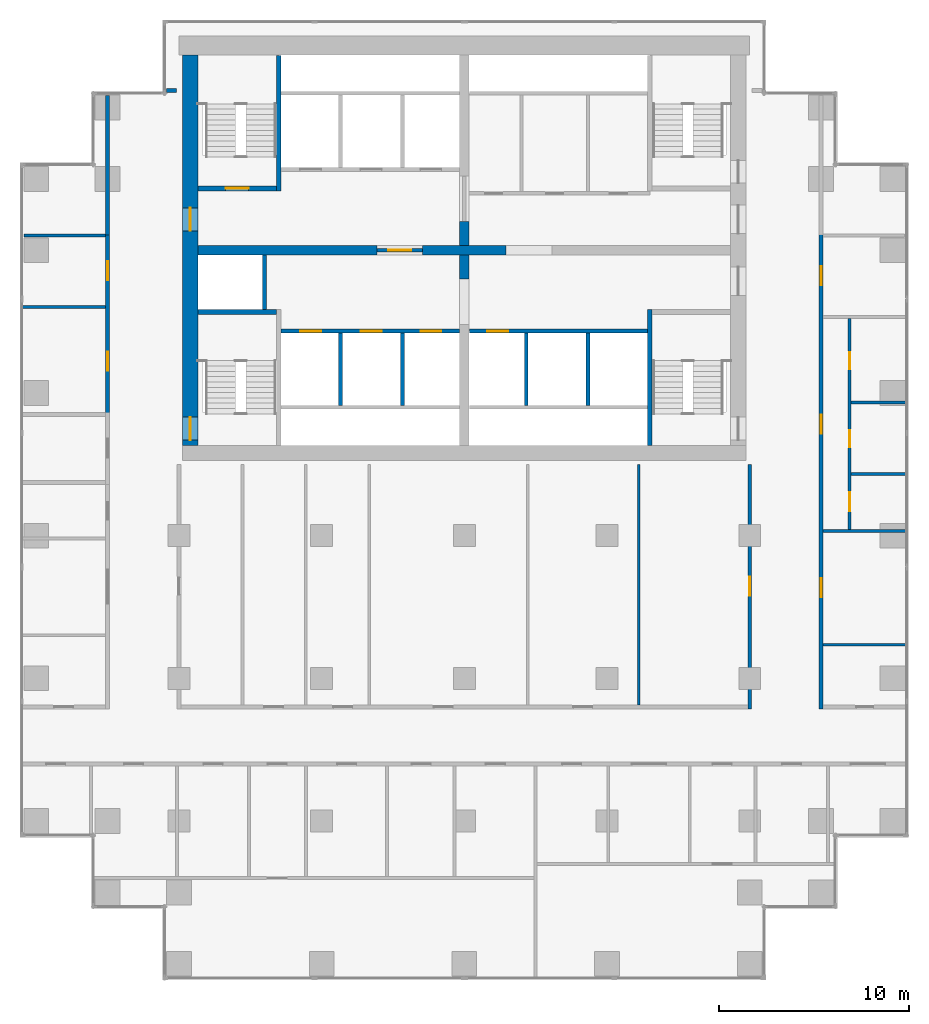
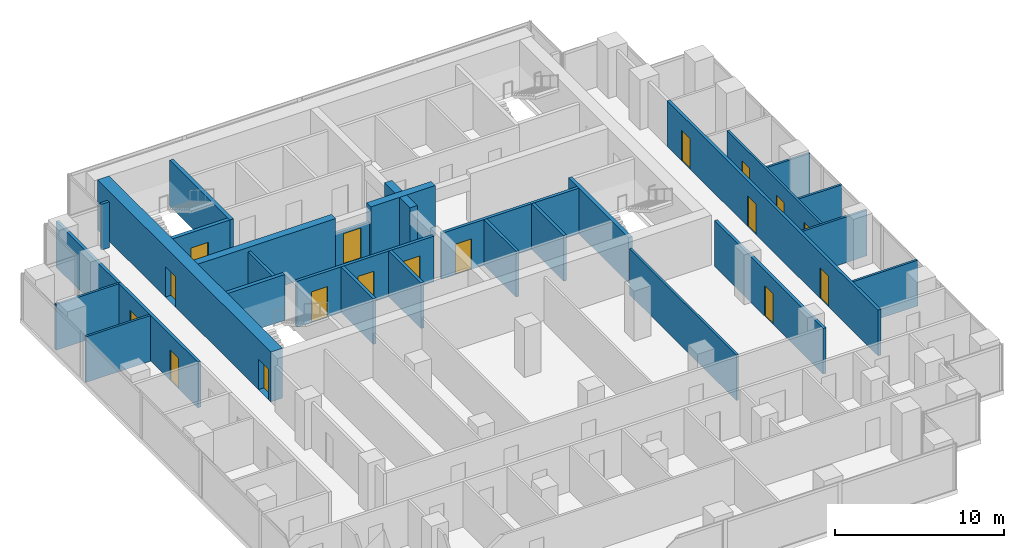
# One storey, part 8 of 11: 30 walls, 17 doors, 17 openings.
"""IFC4 building model written with IfcOpenShell, lengths in metres."""

from ifc_helpers import new_model, si_unit, direction, frame, frame_2d, origin, place, context, subcontext, project, spatial, rectangle, extrude, material, layer, layer_set, type_object, element, fill, save


model = new_model("IFC4")

# Units and contexts
model_context = context("Model", 3, precision=1e-05, world=origin(), true_north=direction((0.0, 1.0)))
body_context = subcontext(model_context, "Body", "Model", "MODEL_VIEW")
ifc_project = project(units=[si_unit("LENGTHUNIT", "METRE"), si_unit("AREAUNIT", "SQUARE_METRE"), si_unit("VOLUMEUNIT", "CUBIC_METRE"), si_unit("PLANEANGLEUNIT", "RADIAN"), si_unit("MASSUNIT", "GRAM", prefix="KILO")], contexts=[model_context])

# Site, building, storey
site_placement = place(None, origin())
site = spatial("IfcSite", under=ifc_project, at=site_placement, CompositionType="ELEMENT")
building_placement = place(site_placement, origin())
building = spatial("IfcBuilding", under=site, at=building_placement, Name="Pilkhan Gate Tower", CompositionType="ELEMENT")
storey_placement = place(building_placement, frame((0.0, 0.0, 125.199951171875)))
storey = spatial("IfcBuildingStorey", under=building, at=storey_placement, Name="L31", CompositionType="ELEMENT", Elevation=125.199951171875)

# Wall, openings, doors
ifc_material_1 = material(Name="Concrete C60/75", Category="concrete")
ifc_layer_1 = layer(ifc_material_1, 0.800048828125)
ifc_layer_set_1 = layer_set([ifc_layer_1], Name="Core wall CW800 C60/75")
wall_type_1 = type_object("IfcWallType", Name="Core wall CW800 C60/75", PredefinedType="SHEAR", material=ifc_layer_set_1)
wall_1_placement = place(storey_placement, frame((60.60009765625, 92.75, 0.0), z_axis=(0.0, 0.0, 1.0), x_axis=(0.0, -1.0, 0.0)))
wall_1 = element("IfcWall", 1, at=wall_1_placement, inside=storey, type_object=wall_type_1, Name="Core wall W L31", PredefinedType="SHEAR", context=body_context, shape_type="SweptSolid", body=[
    extrude(rectangle(XDim=20.5, YDim=0.800048828125, at=frame_2d((10.25, 0.0))), origin(), (0.0, 0.0, 1.0), 3.60009765625),
])
opening_1_placement = place(wall_1_placement, frame((19.02490234375, 0.0, 0.0)))
opening_1 = element("IfcOpeningElement", 2, at=opening_1_placement, cuts=wall_1, Name="Opening L31-04", PredefinedType="OPENING", context=body_context, shape_type="SweptSolid", body=[
    extrude(rectangle(XDim=1.199951171875, YDim=2.199951171875, at=frame_2d((0.60009765625, 1.10009765625))), frame((0.0, 0.409912109375, 0.0), z_axis=(0.0, -1.0, 0.0), x_axis=(1.0, 0.0, 0.0)), (0.0, 0.0, 1.0), 0.820068359375),
])
opening_2_placement = place(wall_1_placement, frame((8.02490234375, 0.0, 0.0)))
opening_2 = element("IfcOpeningElement", 3, at=opening_2_placement, cuts=wall_1, Name="Opening L31-11", PredefinedType="OPENING", context=body_context, shape_type="SweptSolid", body=[
    extrude(rectangle(XDim=1.199951171875, YDim=2.199951171875, at=frame_2d((0.60009765625, 1.10009765625))), frame((0.0, 0.409912109375, 0.0), z_axis=(0.0, -1.0, 0.0), x_axis=(1.0, 0.0, 0.0)), (0.0, 0.0, 1.0), 0.820068359375),
])
ifc_material_2 = material(Name="Steel door, 120 minute fire resisting, self-closing", Category="steel")
door_type_1 = type_object("IfcDoorType", Name="Firefighting lobby door D10 1200x2200", OperationType="SINGLE_SWING_LEFT", PredefinedType="DOOR", material=ifc_material_2)
door_1_placement = place(opening_2_placement, origin())
door_1 = element("IfcDoor", 4, at=door_1_placement, inside=storey, type_object=door_type_1, Name="Core door", OperationType="SINGLE_SWING_RIGHT", OverallHeight=2.199951171875, OverallWidth=1.199951171875, PredefinedType="DOOR", context=body_context, shape_type="SweptSolid", body=[
    extrude(rectangle(XDim=1.199951171875, YDim=2.199951171875, at=frame_2d((0.60009765625, 1.10009765625))), frame((0.0, 0.02490234375, 0.0), z_axis=(0.0, -1.0, 0.0), x_axis=(1.0, 0.0, 0.0)), (0.0, 0.0, 1.0), 0.050048828125),
])
fill(opening_2, door_1)
ifc_material_3 = material(Name="Steel door, 120 minute fire resisting, panic bar", Category="steel")
door_type_2 = type_object("IfcDoorType", Name="Stair door D11 1200x2200", OperationType="SINGLE_SWING_LEFT", PredefinedType="DOOR", material=ifc_material_3)
door_2_placement = place(opening_1_placement, origin())
door_2 = element("IfcDoor", 5, at=door_2_placement, inside=storey, type_object=door_type_2, Name="Stair ST2 door", OperationType="SINGLE_SWING_RIGHT", OverallHeight=2.199951171875, OverallWidth=1.199951171875, PredefinedType="DOOR", context=body_context, shape_type="SweptSolid", body=[
    extrude(rectangle(XDim=1.199951171875, YDim=2.199951171875, at=frame_2d((0.60009765625, 1.10009765625))), frame((0.0, 0.02490234375, 0.0), z_axis=(0.0, -1.0, 0.0), x_axis=(1.0, 0.0, 0.0)), (0.0, 0.0, 1.0), 0.050048828125),
])
fill(opening_1, door_2)

# Wall
ifc_material_4 = material(Name="Dense blockwork", Category="masonry")
ifc_layer_2 = layer(ifc_material_4, 0.199951171875)
ifc_layer_set_2 = layer_set([ifc_layer_2], Name="Corridor wall FW200")
wall_type_2 = type_object("IfcWallType", Name="Corridor wall FW200", PredefinedType="PARTITIONING", material=ifc_layer_set_2)
wall_2_placement = place(storey_placement, frame((59.35498046875, 90.89990234375, 0.0), z_axis=(0.0, 0.0, 1.0), x_axis=(1.0, 0.0, 0.0)))
element("IfcWall", 6, at=wall_2_placement, inside=storey, type_object=wall_type_2, Name="Partition L31", PredefinedType="PARTITIONING", context=body_context, shape_type="SweptSolid", body=[
    extrude(rectangle(XDim=0.52490234375, YDim=0.199951171875, at=frame_2d((0.262451171875, 0.0))), origin(), (0.0, 0.0, 1.0), 3.300048828125),
])

# Wall, openings, doors
wall_3_placement = place(storey_placement, frame((56.25, 73.864990234375, 0.0), z_axis=(0.0, 0.0, 1.0), x_axis=(0.0, 1.0, 0.0)))
wall_3 = element("IfcWall", 7, at=wall_3_placement, inside=storey, type_object=wall_type_2, Name="Partition L31", PredefinedType="PARTITIONING", context=body_context, shape_type="SweptSolid", body=[
    extrude(rectangle(XDim=9.489990234375, YDim=0.199951171875, at=frame_2d((4.7451171875, 0.0))), origin(), (0.0, 0.0, 1.0), 3.300048828125),
])
opening_3_placement = place(wall_3_placement, frame((2.300048828125, 0.0, 0.0)))
opening_3 = element("IfcOpeningElement", 8, at=opening_3_placement, cuts=wall_3, Name="Opening L31-31", PredefinedType="OPENING", context=body_context, shape_type="SweptSolid", body=[
    extrude(rectangle(XDim=1.0, YDim=2.199951171875, at=frame_2d((0.5, 1.10009765625))), frame((0.0, 0.10986328125, 0.0), z_axis=(0.0, -1.0, 0.0), x_axis=(1.0, 0.0, 0.0)), (0.0, 0.0, 1.0), 0.219970703125),
])
opening_4_placement = place(wall_3_placement, frame((7.049072265625, 0.0, 0.0)))
opening_4 = element("IfcOpeningElement", 9, at=opening_4_placement, cuts=wall_3, Name="Opening L31-32", PredefinedType="OPENING", context=body_context, shape_type="SweptSolid", body=[
    extrude(rectangle(XDim=1.0, YDim=2.199951171875, at=frame_2d((0.5, 1.10009765625))), frame((0.0, 0.10986328125, 0.0), z_axis=(0.0, -1.0, 0.0), x_axis=(1.0, 0.0, 0.0)), (0.0, 0.0, 1.0), 0.219970703125),
])
ifc_material_5 = material(Name="Timber flush door, 30 minute fire resisting", Category="wood")
door_type_3 = type_object("IfcDoorType", Name="Room door D03 1000x2200", OperationType="SINGLE_SWING_LEFT", PredefinedType="DOOR", material=ifc_material_5)
door_3_placement = place(opening_3_placement, origin())
door_3 = element("IfcDoor", 10, at=door_3_placement, inside=storey, type_object=door_type_3, Name="Room door", OperationType="SINGLE_SWING_LEFT", OverallHeight=2.199951171875, OverallWidth=1.0, PredefinedType="DOOR", context=body_context, shape_type="SweptSolid", body=[
    extrude(rectangle(XDim=1.0, YDim=2.199951171875, at=frame_2d((0.5, 1.10009765625))), frame((0.0, 0.02490234375, 0.0), z_axis=(0.0, -1.0, 0.0), x_axis=(1.0, 0.0, 0.0)), (0.0, 0.0, 1.0), 0.050048828125),
])
fill(opening_3, door_3)
door_4_placement = place(opening_4_placement, origin())
door_4 = element("IfcDoor", 11, at=door_4_placement, inside=storey, type_object=door_type_3, Name="Room door", OperationType="SINGLE_SWING_RIGHT", OverallHeight=2.199951171875, OverallWidth=1.0, PredefinedType="DOOR", context=body_context, shape_type="SweptSolid", body=[
    extrude(rectangle(XDim=1.0, YDim=2.199951171875, at=frame_2d((0.5, 1.10009765625))), frame((0.0, 0.02490234375, 0.0), z_axis=(0.0, -1.0, 0.0), x_axis=(1.0, 0.0, 0.0)), (0.0, 0.0, 1.0), 0.050048828125),
])
fill(opening_4, door_4)

# Wall
wall_4_placement = place(storey_placement, frame((56.25, 83.31005859375, 0.0), z_axis=(0.0, 0.0, 1.0), x_axis=(0.0, 1.0, 0.0)))
element("IfcWall", 12, at=wall_4_placement, inside=storey, type_object=wall_type_2, Name="Partition L31", PredefinedType="PARTITIONING", context=body_context, shape_type="SweptSolid", body=[
    extrude(rectangle(XDim=7.3349609375, YDim=0.199951171875, at=frame_2d((3.66748046875, 0.0))), origin(), (0.0, 0.0, 1.0), 3.300048828125),
])

# Wall, opening, door
wall_5_placement = place(storey_placement, frame((90.0, 58.39990234375, 0.0), z_axis=(0.0, 0.0, 1.0), x_axis=(0.0, 1.0, 0.0)))
wall_5 = element("IfcWall", 13, at=wall_5_placement, inside=storey, type_object=wall_type_2, Name="Partition L31", PredefinedType="PARTITIONING", context=body_context, shape_type="SweptSolid", body=[
    extrude(rectangle(XDim=12.85009765625, YDim=0.199951171875, at=frame_2d((6.425048828125, 0.0))), origin(), (0.0, 0.0, 1.0), 3.300048828125),
])
opening_5_placement = place(wall_5_placement, frame((5.949951171875, 0.0, 0.0)))
opening_5 = element("IfcOpeningElement", 14, at=opening_5_placement, cuts=wall_5, Name="Opening L31-44", PredefinedType="OPENING", context=body_context, shape_type="SweptSolid", body=[
    extrude(rectangle(XDim=1.0, YDim=2.199951171875, at=frame_2d((0.5, 1.10009765625))), frame((0.0, 0.10986328125, 0.0), z_axis=(0.0, -1.0, 0.0), x_axis=(1.0, 0.0, 0.0)), (0.0, 0.0, 1.0), 0.219970703125),
])
door_5_placement = place(opening_5_placement, origin())
door_5 = element("IfcDoor", 15, at=door_5_placement, inside=storey, type_object=door_type_3, Name="Room door", OperationType="SINGLE_SWING_LEFT", OverallHeight=2.199951171875, OverallWidth=1.0, PredefinedType="DOOR", context=body_context, shape_type="SweptSolid", body=[
    extrude(rectangle(XDim=1.0, YDim=2.199951171875, at=frame_2d((0.5, 1.10009765625))), frame((0.0, 0.02490234375, 0.0), z_axis=(0.0, -1.0, 0.0), x_axis=(1.0, 0.0, 0.0)), (0.0, 0.0, 1.0), 0.050048828125),
])
fill(opening_5, door_5)

# Wall, openings, doors
wall_6_placement = place(storey_placement, frame((93.75, 58.39990234375, 0.0), z_axis=(0.0, 0.0, 1.0), x_axis=(0.0, 1.0, 0.0)))
wall_6 = element("IfcWall", 16, at=wall_6_placement, inside=storey, type_object=wall_type_2, Name="Partition L31", PredefinedType="PARTITIONING", context=body_context, shape_type="SweptSolid", body=[
    extrude(rectangle(XDim=24.955078125, YDim=0.199951171875, at=frame_2d((12.4775390625, 0.0))), origin(), (0.0, 0.0, 1.0), 3.300048828125),
])
opening_6_placement = place(wall_6_placement, frame((14.449951171875, 0.0, 0.0)))
opening_6 = element("IfcOpeningElement", 17, at=opening_6_placement, cuts=wall_6, Name="Opening L31-09", PredefinedType="OPENING", context=body_context, shape_type="SweptSolid", body=[
    extrude(rectangle(XDim=1.0, YDim=2.199951171875, at=frame_2d((0.5, 1.10009765625))), frame((0.0, 0.10986328125, 0.0), z_axis=(0.0, -1.0, 0.0), x_axis=(1.0, 0.0, 0.0)), (0.0, 0.0, 1.0), 0.219970703125),
])
opening_7_placement = place(wall_6_placement, frame((5.868896484375, 0.0, 0.0)))
opening_7 = element("IfcOpeningElement", 18, at=opening_7_placement, cuts=wall_6, Name="Opening L31-37", PredefinedType="OPENING", context=body_context, shape_type="SweptSolid", body=[
    extrude(rectangle(XDim=1.0, YDim=2.199951171875, at=frame_2d((0.5, 1.10009765625))), frame((0.0, 0.10986328125, 0.0), z_axis=(0.0, -1.0, 0.0), x_axis=(1.0, 0.0, 0.0)), (0.0, 0.0, 1.0), 0.219970703125),
])
opening_8_placement = place(wall_6_placement, frame((22.25, 0.0, 0.0)))
opening_8 = element("IfcOpeningElement", 19, at=opening_8_placement, cuts=wall_6, Name="Opening L31-38", PredefinedType="OPENING", context=body_context, shape_type="SweptSolid", body=[
    extrude(rectangle(XDim=1.0, YDim=2.199951171875, at=frame_2d((0.5, 1.10009765625))), frame((0.0, 0.10986328125, 0.0), z_axis=(0.0, -1.0, 0.0), x_axis=(1.0, 0.0, 0.0)), (0.0, 0.0, 1.0), 0.219970703125),
])
door_6_placement = place(opening_6_placement, origin())
door_6 = element("IfcDoor", 20, at=door_6_placement, inside=storey, type_object=door_type_3, Name="Toilet lobby door", OperationType="SINGLE_SWING_RIGHT", OverallHeight=2.199951171875, OverallWidth=1.0, PredefinedType="DOOR", context=body_context, shape_type="SweptSolid", body=[
    extrude(rectangle(XDim=1.0, YDim=2.199951171875, at=frame_2d((0.5, 1.10009765625))), frame((0.0, 0.02490234375, 0.0), z_axis=(0.0, -1.0, 0.0), x_axis=(1.0, 0.0, 0.0)), (0.0, 0.0, 1.0), 0.050048828125),
])
fill(opening_6, door_6)
door_7_placement = place(opening_7_placement, origin())
door_7 = element("IfcDoor", 21, at=door_7_placement, inside=storey, type_object=door_type_3, Name="Room door", OperationType="SINGLE_SWING_LEFT", OverallHeight=2.199951171875, OverallWidth=1.0, PredefinedType="DOOR", context=body_context, shape_type="SweptSolid", body=[
    extrude(rectangle(XDim=1.0, YDim=2.199951171875, at=frame_2d((0.5, 1.10009765625))), frame((0.0, 0.02490234375, 0.0), z_axis=(0.0, -1.0, 0.0), x_axis=(1.0, 0.0, 0.0)), (0.0, 0.0, 1.0), 0.050048828125),
])
fill(opening_7, door_7)
door_8_placement = place(opening_8_placement, origin())
door_8 = element("IfcDoor", 22, at=door_8_placement, inside=storey, type_object=door_type_3, Name="Room door", OperationType="SINGLE_SWING_LEFT", OverallHeight=2.199951171875, OverallWidth=1.0, PredefinedType="DOOR", context=body_context, shape_type="SweptSolid", body=[
    extrude(rectangle(XDim=1.0, YDim=2.199951171875, at=frame_2d((0.5, 1.10009765625))), frame((0.0, 0.02490234375, 0.0), z_axis=(0.0, -1.0, 0.0), x_axis=(1.0, 0.0, 0.0)), (0.0, 0.0, 1.0), 0.050048828125),
])
fill(opening_8, door_8)

# Wall, opening, door
ifc_layer_3 = layer(ifc_material_4, 0.199951171875)
ifc_layer_set_3 = layer_set([ifc_layer_3], Name="Lobby wall LW200")
wall_type_3 = type_object("IfcWallType", Name="Lobby wall LW200", PredefinedType="PARTITIONING", material=ifc_layer_set_3)
wall_7_placement = place(storey_placement, frame((70.409912109375, 82.5, 0.0), z_axis=(0.0, 0.0, 1.0), x_axis=(1.0, 0.0, 0.0)))
wall_7 = element("IfcWall", 23, at=wall_7_placement, inside=storey, type_object=wall_type_3, Name="Partition L31", PredefinedType="PARTITIONING", context=body_context, shape_type="SweptSolid", body=[
    extrude(rectangle(XDim=2.380126953125, YDim=0.199951171875, at=frame_2d((1.18994140625, 0.0))), origin(), (0.0, 0.0, 1.0), 2.400146484375),
])
opening_9_placement = place(wall_7_placement, frame((0.60009765625, 0.0, 0.0)))
opening_9 = element("IfcOpeningElement", 24, at=opening_9_placement, cuts=wall_7, Name="Opening L31-01", PredefinedType="OPENING", context=body_context, shape_type="SweptSolid", body=[
    extrude(rectangle(XDim=1.199951171875, YDim=2.199951171875, at=frame_2d((0.60009765625, 1.10009765625))), frame((0.0, 0.10986328125, 0.0), z_axis=(0.0, -1.0, 0.0), x_axis=(1.0, 0.0, 0.0)), (0.0, 0.0, 1.0), 0.219970703125),
])
door_9_placement = place(opening_9_placement, origin())
door_9 = element("IfcDoor", 25, at=door_9_placement, inside=storey, type_object=door_type_1, Name="Firefighting lobby door", OperationType="SINGLE_SWING_LEFT", OverallHeight=2.199951171875, OverallWidth=1.199951171875, PredefinedType="DOOR", context=body_context, shape_type="SweptSolid", body=[
    extrude(rectangle(XDim=1.199951171875, YDim=2.199951171875, at=frame_2d((0.60009765625, 1.10009765625))), frame((0.0, 0.02490234375, 0.0), z_axis=(0.0, -1.0, 0.0), x_axis=(1.0, 0.0, 0.0)), (0.0, 0.0, 1.0), 0.050048828125),
])
fill(opening_9, door_9)

# Walls
ifc_material_6 = material(Name="Blockwork partition, plastered both sides", Category="masonry")
ifc_layer_4 = layer(ifc_material_6, 0.14990234375)
ifc_layer_set_4 = layer_set([ifc_layer_4], Name="Partition PW150")
wall_type_4 = type_object("IfcWallType", Name="Partition PW150", PredefinedType="PARTITIONING", material=ifc_layer_set_4)
for number, where, z_axis, x_axis, name in (
    (26, (93.85009765625, 61.76904296875, 0.0), (0.0, 0.0, 1.0), (1.0, 0.0, 0.0), "Partition L31"),
    (27, (93.85009765625, 67.75, 0.0), (0.0, 0.0, 1.0), (1.0, 0.0, 0.0), "Partition L31"),
):
    element("IfcWall", number, at=place(storey_placement, frame(where, z_axis=z_axis, x_axis=x_axis)), inside=storey, type_object=wall_type_4, Name=name, PredefinedType="PARTITIONING", context=body_context, shape_type="SweptSolid", body=[
        extrude(rectangle(XDim=4.414794921875, YDim=0.14990234375, at=frame_2d((2.20751953125, 0.0))), origin(), (0.0, 0.0, 1.0), 3.300048828125),
    ])
for number, where, z_axis, x_axis, name in (
    (28, (95.324951171875, 70.75, 0.0), (0.0, 0.0, 1.0), (1.0, 0.0, 0.0), "Partition L31"),
    (29, (95.324951171875, 74.5, 0.0), (0.0, 0.0, 1.0), (1.0, 0.0, 0.0), "Partition L31"),
):
    element("IfcWall", number, at=place(storey_placement, frame(where, z_axis=z_axis, x_axis=x_axis)), inside=storey, type_object=wall_type_4, Name=name, PredefinedType="PARTITIONING", context=body_context, shape_type="SweptSolid", body=[
        extrude(rectangle(XDim=2.93994140625, YDim=0.14990234375, at=frame_2d((1.469970703125, 0.0))), origin(), (0.0, 0.0, 1.0), 3.300048828125),
    ])
wall_8_placement = place(storey_placement, frame((51.735107421875, 79.513916015625, 0.0), z_axis=(0.0, 0.0, 1.0), x_axis=(1.0, 0.0, 0.0)))
element("IfcWall", 30, at=wall_8_placement, inside=storey, type_object=wall_type_4, Name="Partition L31", PredefinedType="PARTITIONING", context=body_context, shape_type="SweptSolid", body=[
    extrude(rectangle(XDim=4.414794921875, YDim=0.14990234375, at=frame_2d((2.20751953125, 0.0))), origin(), (0.0, 0.0, 1.0), 3.300048828125),
])
wall_9_placement = place(storey_placement, frame((51.85498046875, 83.280029296875, 0.0), z_axis=(0.0, 0.0, 1.0), x_axis=(1.0, 0.0, 0.0)))
element("IfcWall", 31, at=wall_9_placement, inside=storey, type_object=wall_type_4, Name="Partition L31", PredefinedType="PARTITIONING", context=body_context, shape_type="SweptSolid", body=[
    extrude(rectangle(XDim=4.294921875, YDim=0.14990234375, at=frame_2d((2.1474609375, 0.0))), origin(), (0.0, 0.0, 1.0), 3.300048828125),
])
wall_10_placement = place(storey_placement, frame((84.1669921875, 58.60009765625, 0.0), z_axis=(0.0, 0.0, 1.0), x_axis=(0.0, 1.0, 0.0)))
element("IfcWall", 32, at=wall_10_placement, inside=storey, type_object=wall_type_4, Name="Partition L31", PredefinedType="PARTITIONING", context=body_context, shape_type="SweptSolid", body=[
    extrude(rectangle(XDim=12.64990234375, YDim=0.14990234375, at=frame_2d((6.324951171875, 0.0))), origin(), (0.0, 0.0, 1.0), 3.300048828125),
])

# Wall, openings, doors
wall_11_placement = place(storey_placement, frame((95.25, 67.824951171875, 0.0), z_axis=(0.0, 0.0, 1.0), x_axis=(0.0, 1.0, 0.0)))
wall_11 = element("IfcWall", 33, at=wall_11_placement, inside=storey, type_object=wall_type_4, Name="Partition L31", PredefinedType="PARTITIONING", context=body_context, shape_type="SweptSolid", body=[
    extrude(rectangle(XDim=11.10009765625, YDim=0.14990234375, at=frame_2d((5.550048828125, 0.0))), origin(), (0.0, 0.0, 1.0), 3.300048828125),
])
opening_10_placement = place(wall_11_placement, frame((0.949951171875, 0.0, 0.0)))
opening_10 = element("IfcOpeningElement", 34, at=opening_10_placement, cuts=wall_11, Name="Opening L31-33", PredefinedType="OPENING", context=body_context, shape_type="SweptSolid", body=[
    extrude(rectangle(XDim=1.0, YDim=2.199951171875, at=frame_2d((0.5, 1.10009765625))), frame((0.0, 0.0849609375, 0.0), z_axis=(0.0, -1.0, 0.0), x_axis=(1.0, 0.0, 0.0)), (0.0, 0.0, 1.0), 0.169921875),
])
opening_11_placement = place(wall_11_placement, frame((4.324951171875, 0.0, 0.0)))
opening_11 = element("IfcOpeningElement", 35, at=opening_11_placement, cuts=wall_11, Name="Opening L31-34", PredefinedType="OPENING", context=body_context, shape_type="SweptSolid", body=[
    extrude(rectangle(XDim=0.89990234375, YDim=2.199951171875, at=frame_2d((0.449951171875, 1.10009765625))), frame((0.0, 0.0849609375, 0.0), z_axis=(0.0, -1.0, 0.0), x_axis=(1.0, 0.0, 0.0)), (0.0, 0.0, 1.0), 0.169921875),
])
opening_12_placement = place(wall_11_placement, frame((8.425048828125, 0.0, 0.0)))
opening_12 = element("IfcOpeningElement", 36, at=opening_12_placement, cuts=wall_11, Name="Opening L31-35", PredefinedType="OPENING", context=body_context, shape_type="SweptSolid", body=[
    extrude(rectangle(XDim=0.89990234375, YDim=2.199951171875, at=frame_2d((0.449951171875, 1.10009765625))), frame((0.0, 0.0849609375, 0.0), z_axis=(0.0, -1.0, 0.0), x_axis=(1.0, 0.0, 0.0)), (0.0, 0.0, 1.0), 0.169921875),
])
ifc_material_7 = material(Name="Timber flush door, outward opening, 30 minute fire resisting", Category="wood")
door_type_4 = type_object("IfcDoorType", Name="Accessible toilet door D07 1000x2200", OperationType="SINGLE_SWING_LEFT", PredefinedType="DOOR", material=ifc_material_7)
door_10_placement = place(opening_10_placement, origin())
door_10 = element("IfcDoor", 37, at=door_10_placement, inside=storey, type_object=door_type_4, Name="Accessible toilet door", OperationType="SINGLE_SWING_LEFT", OverallHeight=2.199951171875, OverallWidth=1.0, PredefinedType="DOOR", context=body_context, shape_type="SweptSolid", body=[
    extrude(rectangle(XDim=1.0, YDim=2.199951171875, at=frame_2d((0.5, 1.10009765625))), frame((0.0, 0.02490234375, 0.0), z_axis=(0.0, -1.0, 0.0), x_axis=(1.0, 0.0, 0.0)), (0.0, 0.0, 1.0), 0.050048828125),
])
fill(opening_10, door_10)
door_type_5 = type_object("IfcDoorType", Name="Toilet door D06 900x2200", OperationType="SINGLE_SWING_LEFT", PredefinedType="DOOR", material=ifc_material_5)
door_11_placement = place(opening_11_placement, origin())
door_11 = element("IfcDoor", 38, at=door_11_placement, inside=storey, type_object=door_type_5, Name="Toilet door", OperationType="SINGLE_SWING_RIGHT", OverallHeight=2.199951171875, OverallWidth=0.89990234375, PredefinedType="DOOR", context=body_context, shape_type="SweptSolid", body=[
    extrude(rectangle(XDim=0.89990234375, YDim=2.199951171875, at=frame_2d((0.449951171875, 1.10009765625))), frame((0.0, 0.02490234375, 0.0), z_axis=(0.0, -1.0, 0.0), x_axis=(1.0, 0.0, 0.0)), (0.0, 0.0, 1.0), 0.050048828125),
])
fill(opening_11, door_11)
door_12_placement = place(opening_12_placement, origin())
door_12 = element("IfcDoor", 39, at=door_12_placement, inside=storey, type_object=door_type_5, Name="Toilet door", OperationType="SINGLE_SWING_LEFT", OverallHeight=2.199951171875, OverallWidth=0.89990234375, PredefinedType="DOOR", context=body_context, shape_type="SweptSolid", body=[
    extrude(rectangle(XDim=0.89990234375, YDim=2.199951171875, at=frame_2d((0.449951171875, 1.10009765625))), frame((0.0, 0.02490234375, 0.0), z_axis=(0.0, -1.0, 0.0), x_axis=(1.0, 0.0, 0.0)), (0.0, 0.0, 1.0), 0.050048828125),
])
fill(opening_12, door_12)

ifc_material_8 = material(Name="Reinforced blockwork shaft wall, 120 minute fire resisting", Category="masonry")
ifc_layer_5 = layer(ifc_material_8, 0.199951171875)
ifc_layer_set_5 = layer_set([ifc_layer_5], Name="Shaft wall SW200")
wall_type_5 = type_object("IfcWallType", Name="Shaft wall SW200", PredefinedType="PARTITIONING", material=ifc_layer_set_5)
wall_12_placement = place(storey_placement, frame((65.375, 78.25, 0.0), z_axis=(0.0, 0.0, 1.0), x_axis=(1.0, 0.0, 0.0)))
wall_12 = element("IfcWall", 40, at=wall_12_placement, inside=storey, type_object=wall_type_5, Name="Partition L31", PredefinedType="PARTITIONING", context=body_context, shape_type="SweptSolid", body=[
    extrude(rectangle(XDim=9.364990234375, YDim=0.199951171875, at=frame_2d((4.6826171875, 0.0))), origin(), (0.0, 0.0, 1.0), 3.300048828125),
])
opening_13_placement = place(wall_12_placement, frame((1.0, 0.0, 0.0)))
opening_13 = element("IfcOpeningElement", 41, at=opening_13_placement, cuts=wall_12, Name="Opening LD", PredefinedType="OPENING", context=body_context, shape_type="SweptSolid", body=[
    extrude(rectangle(XDim=1.10009765625, YDim=2.199951171875, at=frame_2d((0.550048828125, 1.10009765625))), frame((0.0, 0.10986328125, 0.0), z_axis=(0.0, -1.0, 0.0), x_axis=(1.0, 0.0, 0.0)), (0.0, 0.0, 1.0), 0.219970703125),
])
opening_14_placement = place(wall_12_placement, frame((4.175048828125, 0.0, 0.0)))
opening_14 = element("IfcOpeningElement", 42, at=opening_14_placement, cuts=wall_12, Name="Opening LD", PredefinedType="OPENING", context=body_context, shape_type="SweptSolid", body=[
    extrude(rectangle(XDim=1.10009765625, YDim=2.199951171875, at=frame_2d((0.550048828125, 1.10009765625))), frame((0.0, 0.10986328125, 0.0), z_axis=(0.0, -1.0, 0.0), x_axis=(1.0, 0.0, 0.0)), (0.0, 0.0, 1.0), 0.219970703125),
])
opening_15_placement = place(wall_12_placement, frame((7.324951171875, 0.0, 0.0)))
opening_15 = element("IfcOpeningElement", 43, at=opening_15_placement, cuts=wall_12, Name="Opening LD", PredefinedType="OPENING", context=body_context, shape_type="SweptSolid", body=[
    extrude(rectangle(XDim=1.10009765625, YDim=2.199951171875, at=frame_2d((0.550048828125, 1.10009765625))), frame((0.0, 0.10986328125, 0.0), z_axis=(0.0, -1.0, 0.0), x_axis=(1.0, 0.0, 0.0)), (0.0, 0.0, 1.0), 0.219970703125),
])
ifc_material_9 = material(Name="Stainless steel centre-opening landing door, 120 minute fire resisting", Category="steel")
door_type_6 = type_object("IfcDoorType", Name="Lift landing door LD 1100x2200", OperationType="DOUBLE_DOOR_SLIDING", PredefinedType="DOOR", material=ifc_material_9)
door_13_placement = place(opening_13_placement, origin())
door_13 = element("IfcDoor", 44, at=door_13_placement, inside=storey, type_object=door_type_6, Name="Landing door LR1", OperationType="DOUBLE_DOOR_SLIDING", OverallHeight=2.199951171875, OverallWidth=1.10009765625, PredefinedType="DOOR", context=body_context, shape_type="SweptSolid", body=[
    extrude(rectangle(XDim=1.10009765625, YDim=2.199951171875, at=frame_2d((0.550048828125, 1.10009765625))), frame((0.0, 0.02490234375, 0.0), z_axis=(0.0, -1.0, 0.0), x_axis=(1.0, 0.0, 0.0)), (0.0, 0.0, 1.0), 0.050048828125),
])
fill(opening_13, door_13)
door_14_placement = place(opening_14_placement, origin())
door_14 = element("IfcDoor", 45, at=door_14_placement, inside=storey, type_object=door_type_6, Name="Landing door LR2", OperationType="DOUBLE_DOOR_SLIDING", OverallHeight=2.199951171875, OverallWidth=1.10009765625, PredefinedType="DOOR", context=body_context, shape_type="SweptSolid", body=[
    extrude(rectangle(XDim=1.10009765625, YDim=2.199951171875, at=frame_2d((0.550048828125, 1.10009765625))), frame((0.0, 0.02490234375, 0.0), z_axis=(0.0, -1.0, 0.0), x_axis=(1.0, 0.0, 0.0)), (0.0, 0.0, 1.0), 0.050048828125),
])
fill(opening_14, door_14)
door_15_placement = place(opening_15_placement, origin())
door_15 = element("IfcDoor", 46, at=door_15_placement, inside=storey, type_object=door_type_6, Name="Landing door LR3", OperationType="DOUBLE_DOOR_SLIDING", OverallHeight=2.199951171875, OverallWidth=1.10009765625, PredefinedType="DOOR", context=body_context, shape_type="SweptSolid", body=[
    extrude(rectangle(XDim=1.10009765625, YDim=2.199951171875, at=frame_2d((0.550048828125, 1.10009765625))), frame((0.0, 0.02490234375, 0.0), z_axis=(0.0, -1.0, 0.0), x_axis=(1.0, 0.0, 0.0)), (0.0, 0.0, 1.0), 0.050048828125),
])
fill(opening_15, door_15)

# Wall, opening, door
wall_13_placement = place(storey_placement, frame((75.260009765625, 78.25, 0.0), z_axis=(0.0, 0.0, 1.0), x_axis=(1.0, 0.0, 0.0)))
wall_13 = element("IfcWall", 47, at=wall_13_placement, inside=storey, type_object=wall_type_5, Name="Partition L31", PredefinedType="PARTITIONING", context=body_context, shape_type="SweptSolid", body=[
    extrude(rectangle(XDim=9.364990234375, YDim=0.199951171875, at=frame_2d((4.6826171875, 0.0))), origin(), (0.0, 0.0, 1.0), 3.300048828125),
])
opening_16_placement = place(wall_13_placement, frame((0.949951171875, 0.0, 0.0)))
opening_16 = element("IfcOpeningElement", 48, at=opening_16_placement, cuts=wall_13, Name="Opening LD", PredefinedType="OPENING", context=body_context, shape_type="SweptSolid", body=[
    extrude(rectangle(XDim=1.10009765625, YDim=2.199951171875, at=frame_2d((0.550048828125, 1.10009765625))), frame((0.0, 0.10986328125, 0.0), z_axis=(0.0, -1.0, 0.0), x_axis=(1.0, 0.0, 0.0)), (0.0, 0.0, 1.0), 0.219970703125),
])
door_16_placement = place(opening_16_placement, origin())
door_16 = element("IfcDoor", 49, at=door_16_placement, inside=storey, type_object=door_type_6, Name="Landing door LR4", OperationType="DOUBLE_DOOR_SLIDING", OverallHeight=2.199951171875, OverallWidth=1.10009765625, PredefinedType="DOOR", context=body_context, shape_type="SweptSolid", body=[
    extrude(rectangle(XDim=1.10009765625, YDim=2.199951171875, at=frame_2d((0.550048828125, 1.10009765625))), frame((0.0, 0.02490234375, 0.0), z_axis=(0.0, -1.0, 0.0), x_axis=(1.0, 0.0, 0.0)), (0.0, 0.0, 1.0), 0.050048828125),
])
fill(opening_16, door_16)

# Walls
wall_14_placement = place(storey_placement, frame((64.5, 79.375, 0.0), z_axis=(0.0, 0.0, 1.0), x_axis=(0.0, 1.0, 0.0)))
element("IfcWall", 50, at=wall_14_placement, inside=storey, type_object=wall_type_5, Name="Partition L31", PredefinedType="PARTITIONING", context=body_context, shape_type="SweptSolid", body=[
    extrude(rectangle(XDim=2.864990234375, YDim=0.199951171875, at=frame_2d((1.4326171875, 0.0))), origin(), (0.0, 0.0, 1.0), 3.300048828125),
])
for number, where, z_axis, x_axis, name in (
    (51, (68.5, 74.35009765625, 0.0), (0.0, 0.0, 1.0), (0.0, 1.0, 0.0), "Partition L31"),
    (52, (71.75, 74.35009765625, 0.0), (0.0, 0.0, 1.0), (0.0, 1.0, 0.0), "Partition L31"),
    (53, (78.25, 74.35009765625, 0.0), (0.0, 0.0, 1.0), (0.0, 1.0, 0.0), "Partition L31"),
    (54, (81.5, 74.35009765625, 0.0), (0.0, 0.0, 1.0), (0.0, 1.0, 0.0), "Partition L31"),
):
    element("IfcWall", number, at=place(storey_placement, frame(where, z_axis=z_axis, x_axis=x_axis)), inside=storey, type_object=wall_type_5, Name=name, PredefinedType="PARTITIONING", context=body_context, shape_type="SweptSolid", body=[
        extrude(rectangle(XDim=3.7998046875, YDim=0.199951171875, at=frame_2d((1.89990234375, 0.0))), origin(), (0.0, 0.0, 1.0), 3.300048828125),
    ])
ifc_layer_6 = layer(ifc_material_1, 0.5)
ifc_layer_set_6 = layer_set([ifc_layer_6], Name="Spine wall SW500 C60/75")
wall_type_6 = type_object("IfcWallType", Name="Spine wall SW500 C60/75", PredefinedType="SHEAR", material=ifc_layer_set_6)
wall_15_placement = place(storey_placement, frame((61.0, 82.5, 0.0), z_axis=(0.0, 0.0, 1.0), x_axis=(1.0, 0.0, 0.0)))
element("IfcWall", 55, at=wall_15_placement, inside=storey, type_object=wall_type_6, Name="Spine wall SP-EW1 L31", PredefinedType="SHEAR", context=body_context, shape_type="SweptSolid", body=[
    extrude(rectangle(XDim=9.39990234375, YDim=0.5, at=frame_2d((4.699951171875, 0.0))), origin(), (0.0, 0.0, 1.0), 3.60009765625),
])
wall_16_placement = place(storey_placement, frame((72.800048828125, 82.5, 0.0), z_axis=(0.0, 0.0, 1.0), x_axis=(1.0, 0.0, 0.0)))
element("IfcWall", 56, at=wall_16_placement, inside=storey, type_object=wall_type_6, Name="Spine wall SP-EW2 L31", PredefinedType="SHEAR", context=body_context, shape_type="SweptSolid", body=[
    extrude(rectangle(XDim=4.39990234375, YDim=0.5, at=frame_2d((2.199951171875, 0.0))), origin(), (0.0, 0.0, 1.0), 3.60009765625),
])
for number, where, z_axis, x_axis, name in (
    (57, (75.0, 81.0, 0.0), (0.0, 0.0, 1.0), (0.0, 1.0, 0.0), "Spine wall SP-NS-S2 L31"),
    (58, (75.0, 82.75, 0.0), (0.0, 0.0, 1.0), (0.0, 1.0, 0.0), "Spine wall SP-NS-N1 L31"),
):
    element("IfcWall", number, at=place(storey_placement, frame(where, z_axis=z_axis, x_axis=x_axis)), inside=storey, type_object=wall_type_6, Name=name, PredefinedType="SHEAR", context=body_context, shape_type="SweptSolid", body=[
        extrude(rectangle(XDim=1.25, YDim=0.5, at=frame_2d((0.625, 0.0))), origin(), (0.0, 0.0, 1.0), 3.60009765625),
    ])
ifc_material_10 = material(Name="Reinforced blockwork, 120 minute fire resisting", Category="masonry")
ifc_layer_7 = layer(ifc_material_10, 0.25)
ifc_layer_set_7 = layer_set([ifc_layer_7], Name="Stair enclosure wall SE250")
wall_type_7 = type_object("IfcWallType", Name="Stair enclosure wall SE250", PredefinedType="PARTITIONING", material=ifc_layer_set_7)
wall_17_placement = place(storey_placement, frame((61.010009765625, 79.25, 0.0), z_axis=(0.0, 0.0, 1.0), x_axis=(1.0, 0.0, 0.0)))
element("IfcWall", 59, at=wall_17_placement, inside=storey, type_object=wall_type_7, Name="Partition L31", PredefinedType="PARTITIONING", context=body_context, shape_type="SweptSolid", body=[
    extrude(rectangle(XDim=4.114990234375, YDim=0.25, at=frame_2d((2.0576171875, 0.0))), origin(), (0.0, 0.0, 1.0), 3.300048828125),
])

# Wall, opening, door
wall_18_placement = place(storey_placement, frame((61.010009765625, 85.75, 0.0), z_axis=(0.0, 0.0, 1.0), x_axis=(1.0, 0.0, 0.0)))
wall_18 = element("IfcWall", 60, at=wall_18_placement, inside=storey, type_object=wall_type_7, Name="Partition L31", PredefinedType="PARTITIONING", context=body_context, shape_type="SweptSolid", body=[
    extrude(rectangle(XDim=4.114990234375, YDim=0.25, at=frame_2d((2.0576171875, 0.0))), origin(), (0.0, 0.0, 1.0), 3.300048828125),
])
opening_17_placement = place(wall_18_placement, frame((1.449951171875, 0.0, 0.0)))
opening_17 = element("IfcOpeningElement", 61, at=opening_17_placement, cuts=wall_18, Name="Opening L31-02", PredefinedType="OPENING", context=body_context, shape_type="SweptSolid", body=[
    extrude(rectangle(XDim=1.199951171875, YDim=2.199951171875, at=frame_2d((0.60009765625, 1.10009765625))), frame((0.0, 0.135009765625, 0.0), z_axis=(0.0, -1.0, 0.0), x_axis=(1.0, 0.0, 0.0)), (0.0, 0.0, 1.0), 0.27001953125),
])
door_17_placement = place(opening_17_placement, origin())
door_17 = element("IfcDoor", 62, at=door_17_placement, inside=storey, type_object=door_type_2, Name="Stair ST3 lobby door", OperationType="SINGLE_SWING_LEFT", OverallHeight=2.199951171875, OverallWidth=1.199951171875, PredefinedType="DOOR", context=body_context, shape_type="SweptSolid", body=[
    extrude(rectangle(XDim=1.199951171875, YDim=2.199951171875, at=frame_2d((0.60009765625, 1.10009765625))), frame((0.0, 0.02490234375, 0.0), z_axis=(0.0, -1.0, 0.0), x_axis=(1.0, 0.0, 0.0)), (0.0, 0.0, 1.0), 0.050048828125),
])
fill(opening_17, door_17)

# Walls
wall_19_placement = place(storey_placement, frame((65.25, 85.625, 0.0), z_axis=(0.0, 0.0, 1.0), x_axis=(0.0, 1.0, 0.0)))
element("IfcWall", 63, at=wall_19_placement, inside=storey, type_object=wall_type_7, Name="Partition L31", PredefinedType="PARTITIONING", context=body_context, shape_type="SweptSolid", body=[
    extrude(rectangle(XDim=7.114990234375, YDim=0.25, at=frame_2d((3.5576171875, 0.0))), origin(), (0.0, 0.0, 1.0), 3.300048828125),
])
wall_20_placement = place(storey_placement, frame((84.75, 72.25, 0.0), z_axis=(0.0, 0.0, 1.0), x_axis=(0.0, 1.0, 0.0)))
element("IfcWall", 64, at=wall_20_placement, inside=storey, type_object=wall_type_7, Name="Partition L31", PredefinedType="PARTITIONING", context=body_context, shape_type="SweptSolid", body=[
    extrude(rectangle(XDim=7.125, YDim=0.25, at=frame_2d((3.5625, 0.0))), origin(), (0.0, 0.0, 1.0), 3.300048828125),
])

save(model, "model.ifc")
